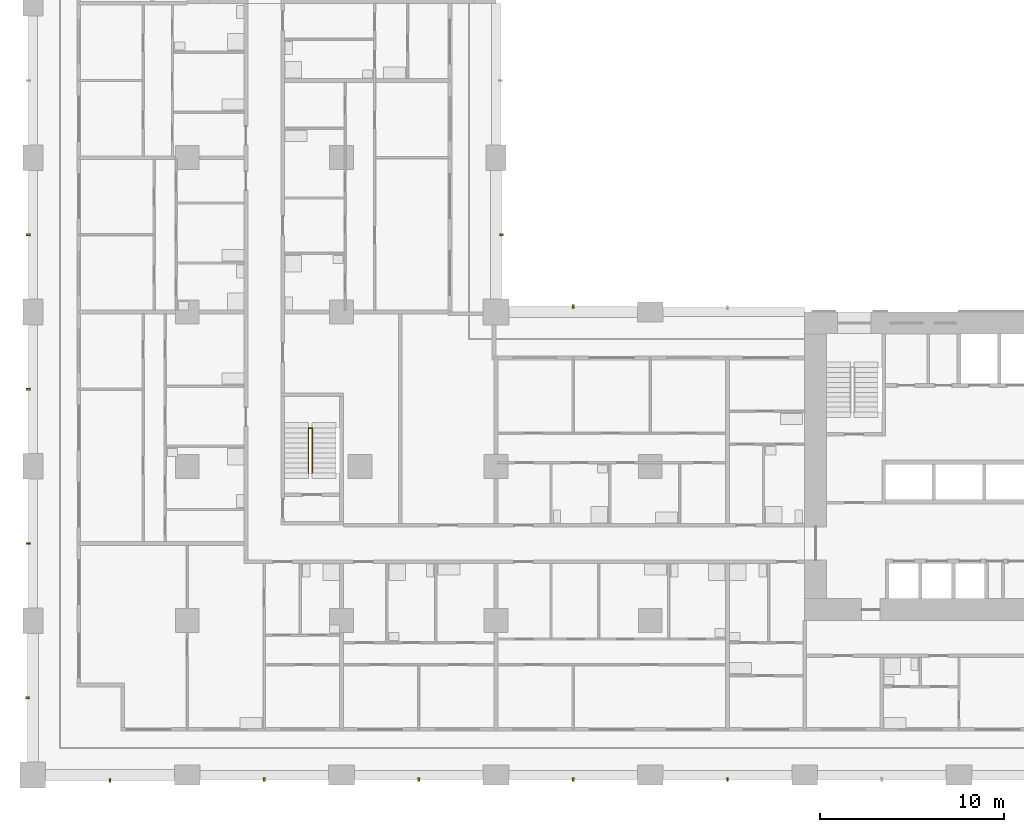
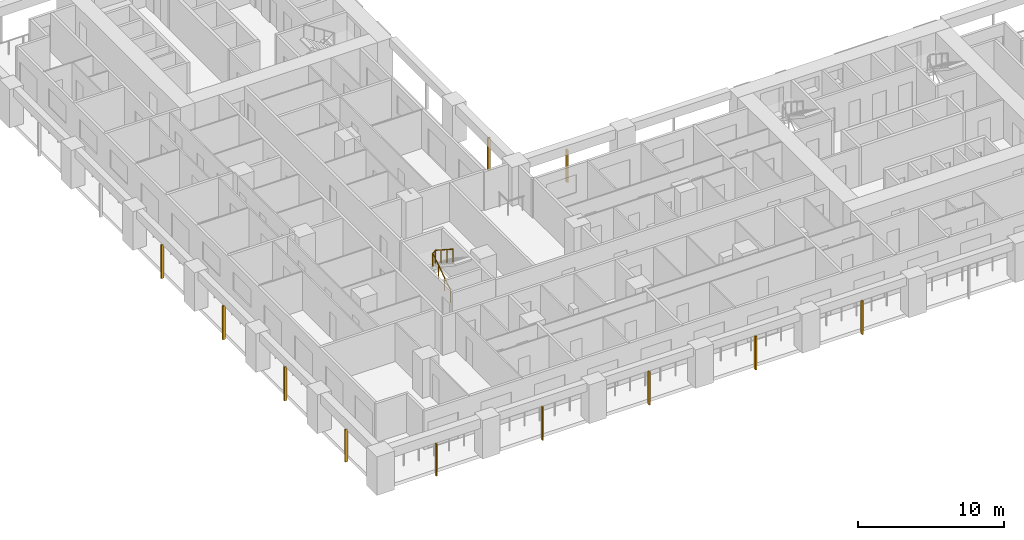
# One storey, part 12 of 19: 11 shading devices, 1 railing.
"""IFC4 building model written with IfcOpenShell, lengths in metres."""

from ifc_helpers import new_model, si_unit, direction, frame, origin, origin_2d, place, context, subcontext, project, spatial, rectangle, circle, extrude, material, material_profile, profile_set, type_object, element, save


model = new_model("IFC4")

# Units and contexts
model_context = context("Model", 3, precision=1e-05, world=origin(), true_north=direction((0.0, 1.0)))
body_context = subcontext(model_context, "Body", "Model", "MODEL_VIEW")
ifc_project = project(units=[si_unit("LENGTHUNIT", "METRE"), si_unit("AREAUNIT", "SQUARE_METRE"), si_unit("VOLUMEUNIT", "CUBIC_METRE"), si_unit("PLANEANGLEUNIT", "RADIAN"), si_unit("MASSUNIT", "GRAM", prefix="KILO")], contexts=[model_context])

# Site, building, storey
site_placement = place(None, origin())
site = spatial("IfcSite", under=ifc_project, at=site_placement, CompositionType="ELEMENT")
building_placement = place(site_placement, origin())
building = spatial("IfcBuilding", under=site, at=building_placement, Name="Vermilion Gate Residences", CompositionType="ELEMENT")
storey_placement = place(building_placement, frame((0.0, 0.0, 53.199951171875)))
storey = spatial("IfcBuildingStorey", under=building, at=storey_placement, Name="L12", CompositionType="ELEMENT", Elevation=53.199951171875)

# Railing
ifc_material_1 = material(Name="Steel S355", Category="steel")
railing_type = type_object("IfcRailingType", Name="STAIR GUARD 1100 STEEL", PredefinedType="GUARDRAIL", material=ifc_material_1)
railing_placement = place(storey_placement, frame((15.0, 16.449951171875, 0.175048828125)))
element("IfcRailing", 1, at=railing_placement, inside=storey, type_object=railing_type, Name="Stair well guard STC1-12", PredefinedType="GUARDRAIL", context=body_context, shape_type="SweptSolid", body=[
    extrude(circle(Radius=0.02392578125, at=origin_2d()), frame((0.0, 0.0, 1.076171875), z_axis=(0.0, 0.839153699163, 0.543894354798), x_axis=(-1.0, 0.0, 0.0)), (0.0, 0.0, 1.0), 2.895751953125),
    extrude(circle(Radius=0.02392578125, at=origin_2d()), frame((0.0, 2.429931640625, 2.65087890625), z_axis=(0.752405939678, 0.0, 0.658699705433), x_axis=(0.0, 1.0, 0.0)), (0.0, 0.0, 1.0), 0.265869140625),
    extrude(circle(Radius=0.02392578125, at=origin_2d()), frame((0.199951171875, 2.429931640625, 2.826171875), z_axis=(0.0, -0.839153699163, 0.543894354798), x_axis=(1.0, 0.0, 0.0)), (0.0, 0.0, 1.0), 2.895751953125),
    extrude(circle(Radius=0.02099609375, at=origin_2d()), origin(), (0.0, 0.0, 1.0), 1.052001953125),
    extrude(circle(Radius=0.02099609375, at=origin_2d()), frame((0.0, 0.81005859375, 0.52490234375)), (0.0, 0.0, 1.0), 1.052001953125),
    extrude(circle(Radius=0.02099609375, at=origin_2d()), frame((0.0, 1.619873046875, 1.050048828125)), (0.0, 0.0, 1.0), 1.052001953125),
    extrude(circle(Radius=0.02099609375, at=origin_2d()), frame((0.0, 2.429931640625, 1.574951171875)), (0.0, 0.0, 1.0), 1.052001953125),
    extrude(circle(Radius=0.02099609375, at=origin_2d()), frame((0.199951171875, 2.429931640625, 1.75)), (0.0, 0.0, 1.0), 1.052001953125),
    extrude(circle(Radius=0.02099609375, at=origin_2d()), frame((0.199951171875, 1.619873046875, 2.27490234375)), (0.0, 0.0, 1.0), 1.052001953125),
    extrude(circle(Radius=0.02099609375, at=origin_2d()), frame((0.199951171875, 0.81005859375, 2.800048828125)), (0.0, 0.0, 1.0), 1.052001953125),
    extrude(circle(Radius=0.02099609375, at=origin_2d()), frame((0.199951171875, 0.0, 3.324951171875)), (0.0, 0.0, 1.0), 1.052001953125),
])

# Shading devices
ifc_material_2 = material(Name="Extruded terracotta", Category="masonry")
ifc_material_profile = material_profile(ifc_material_2, rectangle(XDim=0.199951171875, YDim=0.10009765625, at=origin_2d()), Name="BAGUETTE 100 X 200")
ifc_profile_set = profile_set([ifc_material_profile], Name="Extruded terracotta")
shading_device_type = type_object("IfcShadingDeviceType", Name="TERRACOTTA BAGUETTE 100 X 200", PredefinedType="JALOUSIE", material=ifc_profile_set)
shading_device_placement = place(storey_placement, frame((4.199951171875, -0.300048828125, -0.280029296875), z_axis=(0.0, 0.0, 1.0), x_axis=(0.0, 1.0, 0.0)))
element("IfcShadingDevice", 2, at=shading_device_placement, inside=storey, type_object=shading_device_type, Name="BAGUETTE", PredefinedType="JALOUSIE", context=body_context, shape_type="SweptSolid", body=[
    extrude(rectangle(XDim=0.199951171875, YDim=0.10009765625, at=origin_2d()), origin(), (0.0, 0.0, 1.0), 2.7001953125),
])
for number, where, z_axis, x_axis, name in (
    (3, (12.60009765625, -0.25, -0.280029296875), (0.0, 0.0, 1.0), (0.0, 1.0, 0.0), "BAGUETTE"),
    (4, (21.0, -0.25, -0.280029296875), (0.0, 0.0, 1.0), (0.0, 1.0, 0.0), "BAGUETTE"),
    (5, (29.39990234375, -0.25, -0.280029296875), (0.0, 0.0, 1.0), (0.0, 1.0, 0.0), "BAGUETTE"),
    (6, (37.800048828125, -0.25, -0.280029296875), (0.0, 0.0, 1.0), (0.0, 1.0, 0.0), "BAGUETTE"),
):
    element("IfcShadingDevice", number, at=place(storey_placement, frame(where, z_axis=z_axis, x_axis=x_axis)), inside=storey, type_object=shading_device_type, Name=name, PredefinedType="JALOUSIE", context=body_context, shape_type="SweptSolid", body=[
        extrude(rectangle(XDim=0.199951171875, YDim=0.10009765625, at=origin_2d()), origin(), (0.0, 0.0, 1.0), 2.800048828125),
    ])
for number, where, z_axis, x_axis, name in (
    (7, (29.39990234375, 25.5, -0.280029296875), (0.0, 0.0, 1.0), (0.0, -1.0, 0.0), "BAGUETTE"),
    (8, (25.5, 29.39990234375, -0.280029296875), (0.0, 0.0, 1.0), (-1.0, 0.0, 0.0), "BAGUETTE"),
    (9, (-0.300048828125, 4.199951171875, -0.280029296875), (0.0, 0.0, 1.0), (1.0, 0.0, 0.0), "BAGUETTE"),
):
    element("IfcShadingDevice", number, at=place(storey_placement, frame(where, z_axis=z_axis, x_axis=x_axis)), inside=storey, type_object=shading_device_type, Name=name, PredefinedType="JALOUSIE", context=body_context, shape_type="SweptSolid", body=[
        extrude(rectangle(XDim=0.199951171875, YDim=0.10009765625, at=origin_2d()), origin(), (0.0, 0.0, 1.0), 2.7001953125),
    ])
for number, where, z_axis, x_axis, name in (
    (10, (-0.25, 12.60009765625, -0.280029296875), (0.0, 0.0, 1.0), (1.0, 0.0, 0.0), "BAGUETTE"),
    (11, (-0.25, 21.0, -0.280029296875), (0.0, 0.0, 1.0), (1.0, 0.0, 0.0), "BAGUETTE"),
    (12, (-0.25, 29.39990234375, -0.280029296875), (0.0, 0.0, 1.0), (1.0, 0.0, 0.0), "BAGUETTE"),
):
    element("IfcShadingDevice", number, at=place(storey_placement, frame(where, z_axis=z_axis, x_axis=x_axis)), inside=storey, type_object=shading_device_type, Name=name, PredefinedType="JALOUSIE", context=body_context, shape_type="SweptSolid", body=[
        extrude(rectangle(XDim=0.199951171875, YDim=0.10009765625, at=origin_2d()), origin(), (0.0, 0.0, 1.0), 2.800048828125),
    ])

save(model, "model.ifc")
